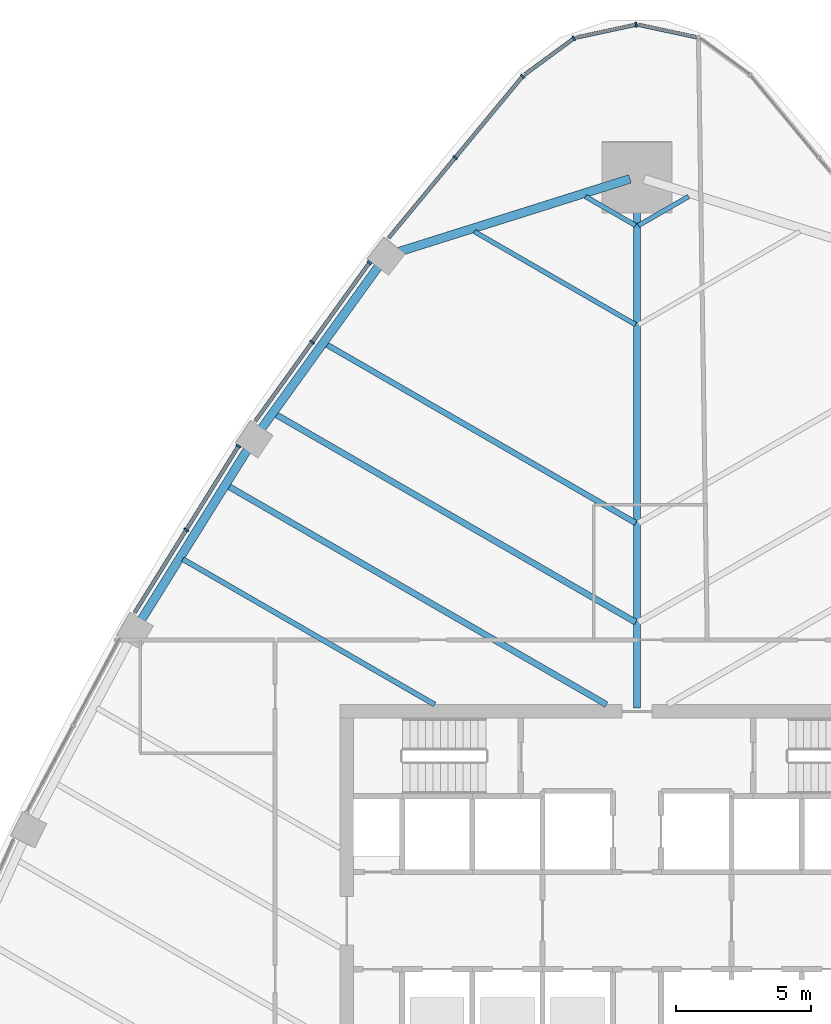
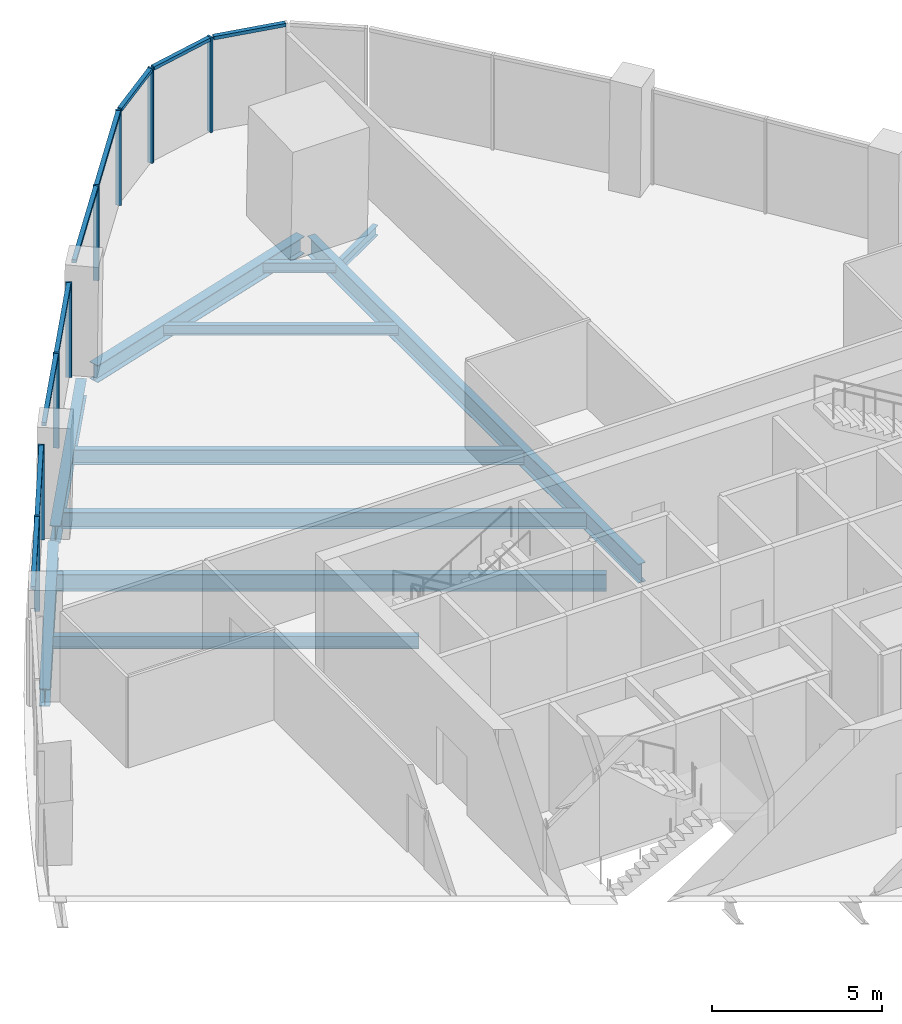
# One storey, part 6 of 17: 17 members, 11 beams, 6 elements without a shape of their own.
"""IFC4 building model written with IfcOpenShell, lengths in metres."""

from ifc_helpers import new_model, si_unit, direction, frame, origin, origin_2d, place, context, subcontext, project, spatial, rectangle, i_section, extrude, material, layer, layer_set, material_profile, profile_set, type_object, element, aggregate, save


model = new_model("IFC4")

# Units and contexts
model_context = context("Model", 3, precision=1e-05, world=origin(), true_north=direction((0.0, 1.0)))
body_context = subcontext(model_context, "Body", "Model", "MODEL_VIEW")
ifc_project = project(units=[si_unit("LENGTHUNIT", "METRE"), si_unit("AREAUNIT", "SQUARE_METRE"), si_unit("VOLUMEUNIT", "CUBIC_METRE"), si_unit("PLANEANGLEUNIT", "RADIAN"), si_unit("MASSUNIT", "GRAM", prefix="KILO")], contexts=[model_context])

# Site, building, storey
site_placement = place(None, origin())
site = spatial("IfcSite", under=ifc_project, at=site_placement, CompositionType="ELEMENT")
building_placement = place(site_placement, origin())
building = spatial("IfcBuilding", under=site, at=building_placement, Name="Sierra Prisma Convention Tower", CompositionType="ELEMENT")
storey_placement = place(building_placement, frame((0.0, 0.0, 169.800048828125)))
storey = spatial("IfcBuildingStorey", under=building, at=storey_placement, Name="L37", CompositionType="ELEMENT", Elevation=169.800048828125)

# Curtain wall, member
ifc_material_1 = material(Name="Aluminium and glass curtain wall", Category="aluminium")
ifc_layer = layer(ifc_material_1, 0.179931640625)
ifc_layer_set = layer_set([ifc_layer], Name="CW-1 Plain shaft curtain wall")
curtain_wall_type = type_object("IfcCurtainWallType", Name="CW-1 Plain shaft curtain wall", PredefinedType="NOTDEFINED", material=ifc_layer_set)
curtain_wall_1_placement = place(storey_placement, origin())
curtain_wall_1 = element("IfcCurtainWall", 1, at=curtain_wall_1_placement, inside=storey, type_object=curtain_wall_type, Name="CW-1 N3 L37", PredefinedType="NOTDEFINED")
ifc_material_2 = material(Name="Aluminium 6063-T6 bronze anodised", Category="aluminium")
ifc_material_profile_1 = material_profile(ifc_material_2, rectangle(XDim=0.179931640625, YDim=0.070068359375, at=origin_2d()), Name="ALU MULLION 70x180")
ifc_profile_set_1 = profile_set([ifc_material_profile_1], Name="Aluminium 6063-T6 bronze anodised")
member_type_1 = type_object("IfcMemberType", Name="CW mullion bronze", PredefinedType="MULLION", material=ifc_profile_set_1)
member_1_placement = place(storey_placement, frame((-0.0341796875, 33.1787109375, 0.0), z_axis=(0.0, 0.0, 1.0), x_axis=(0.209651539511, -0.977776166605, 0.0)))
member_1 = element("IfcMember", 2, at=member_1_placement, type_object=member_type_1, Name="CW-1 mullion N3.1", PredefinedType="MULLION", context=body_context, shape_type="SweptSolid", body=[
    extrude(rectangle(XDim=0.179931640625, YDim=0.070068359375, at=origin_2d()), origin(), (0.0, 0.0, 1.0), 3.39990234375),
])

curtain_wall_2_placement = place(storey_placement, origin())
curtain_wall_2 = element("IfcCurtainWall", 3, at=curtain_wall_2_placement, inside=storey, type_object=curtain_wall_type, Name="CW-1 N4 L37", PredefinedType="NOTDEFINED")
member_2_placement = place(storey_placement, frame((-2.3388671875, 32.669921875, 0.0), z_axis=(0.0, 0.0, 1.0), x_axis=(0.592094718017, -0.805868379387, 0.0)))
member_2 = element("IfcMember", 4, at=member_2_placement, type_object=member_type_1, Name="CW-1 mullion N4.1", PredefinedType="MULLION", context=body_context, shape_type="SweptSolid", body=[
    extrude(rectangle(XDim=0.179931640625, YDim=0.070068359375, at=origin_2d()), origin(), (0.0, 0.0, 1.0), 3.39990234375),
])

# Curtain wall, members
curtain_wall_3_placement = place(storey_placement, origin())
curtain_wall_3 = element("IfcCurtainWall", 5, at=curtain_wall_3_placement, inside=storey, type_object=curtain_wall_type, Name="CW-1 NW1 L37", PredefinedType="NOTDEFINED")
member_3_placement = place(storey_placement, frame((-4.2373046875, 31.2646484375, 0.0), z_axis=(0.0, 0.0, 1.0), x_axis=(0.769842799986, -0.638233549188, 0.0)))
member_3 = element("IfcMember", 6, at=member_3_placement, type_object=member_type_1, Name="CW-1 mullion NW1.1", PredefinedType="MULLION", context=body_context, shape_type="SweptSolid", body=[
    extrude(rectangle(XDim=0.179931640625, YDim=0.070068359375, at=origin_2d()), origin(), (0.0, 0.0, 1.0), 3.39990234375),
])
member_4_placement = place(storey_placement, frame((-6.7314453125, 28.256103515625, 0.0), z_axis=(0.0, 0.0, 1.0), x_axis=(0.769842799986, -0.638233549188, 0.0)))
member_4 = element("IfcMember", 7, at=member_4_placement, type_object=member_type_1, Name="CW-1 mullion NW1.2", PredefinedType="MULLION", context=body_context, shape_type="SweptSolid", body=[
    extrude(rectangle(XDim=0.179931640625, YDim=0.070068359375, at=origin_2d()), origin(), (0.0, 0.0, 1.0), 3.39990234375),
])

curtain_wall_4_placement = place(storey_placement, origin())
curtain_wall_4 = element("IfcCurtainWall", 8, at=curtain_wall_4_placement, inside=storey, type_object=curtain_wall_type, Name="CW-1 NW2 L37", PredefinedType="NOTDEFINED")
member_5_placement = place(storey_placement, frame((-9.90625, 24.365478515625, 0.0), z_axis=(0.0, 0.0, 1.0), x_axis=(0.811103273731, -0.58490296575, 0.0)))
member_5 = element("IfcMember", 9, at=member_5_placement, type_object=member_type_1, Name="CW-1 mullion NW2.1", PredefinedType="MULLION", context=body_context, shape_type="SweptSolid", body=[
    extrude(rectangle(XDim=0.179931640625, YDim=0.070068359375, at=origin_2d()), origin(), (0.0, 0.0, 1.0), 3.39990234375),
])
member_6_placement = place(storey_placement, frame((-12.03271484375, 21.41650390625, 0.0), z_axis=(0.0, 0.0, 1.0), x_axis=(0.811103273731, -0.58490296575, 0.0)))
member_6 = element("IfcMember", 10, at=member_6_placement, type_object=member_type_1, Name="CW-1 mullion NW2.2", PredefinedType="MULLION", context=body_context, shape_type="SweptSolid", body=[
    extrude(rectangle(XDim=0.179931640625, YDim=0.070068359375, at=origin_2d()), origin(), (0.0, 0.0, 1.0), 3.39990234375),
])

curtain_wall_5_placement = place(storey_placement, origin())
curtain_wall_5 = element("IfcCurtainWall", 11, at=curtain_wall_5_placement, inside=storey, type_object=curtain_wall_type, Name="CW-1 NW3 L37", PredefinedType="NOTDEFINED")
member_7_placement = place(storey_placement, frame((-14.761962890625, 17.56884765625, 0.0), z_axis=(0.0, 0.0, 1.0), x_axis=(0.848676003318, -0.52891307546, 0.0)))
member_7 = element("IfcMember", 12, at=member_7_placement, type_object=member_type_1, Name="CW-1 mullion NW3.1", PredefinedType="MULLION", context=body_context, shape_type="SweptSolid", body=[
    extrude(rectangle(XDim=0.179931640625, YDim=0.070068359375, at=origin_2d()), origin(), (0.0, 0.0, 1.0), 3.39990234375),
])
member_8_placement = place(storey_placement, frame((-16.693359375, 14.4697265625, 0.0), z_axis=(0.0, 0.0, 1.0), x_axis=(0.848676003318, -0.52891307546, 0.0)))
member_8 = element("IfcMember", 13, at=member_8_placement, type_object=member_type_1, Name="CW-1 mullion NW3.2", PredefinedType="MULLION", context=body_context, shape_type="SweptSolid", body=[
    extrude(rectangle(XDim=0.179931640625, YDim=0.070068359375, at=origin_2d()), origin(), (0.0, 0.0, 1.0), 3.39990234375),
])

# Curtain wall, member
curtain_wall_6_placement = place(storey_placement, origin())
curtain_wall_6 = element("IfcCurtainWall", 14, at=curtain_wall_6_placement, inside=storey, type_object=curtain_wall_type, Name="CW-1 N2 L37", PredefinedType="NOTDEFINED")
ifc_material_3 = material(Name="Aluminium 6063-T6 bronze anodised", Category="aluminium")
ifc_material_profile_2 = material_profile(ifc_material_3, rectangle(XDim=0.139892578125, YDim=0.1201171875, at=origin_2d()), Name="ALU TRANSOM 120x140")
ifc_profile_set_2 = profile_set([ifc_material_profile_2], Name="Aluminium 6063-T6 bronze anodised")
member_type_2 = type_object("IfcMemberType", Name="CW transom bronze", PredefinedType="USERDEFINED", material=ifc_profile_set_2)
member_9_placement = place(storey_placement, frame((2.2421875, 32.705322265625, 3.33984375), z_axis=(-0.977779910053, 0.209634079997, 0.0), x_axis=(-0.209634079997, -0.977779910053, 0.0)))
member_9 = element("IfcMember", 15, at=member_9_placement, type_object=member_type_2, Name="CW-1 transom N2.1", ObjectType="TRANSOM", PredefinedType="USERDEFINED", context=body_context, shape_type="SweptSolid", body=[
    extrude(rectangle(XDim=0.139892578125, YDim=0.1201171875, at=origin_2d()), origin(), (0.0, 0.0, 1.0), 2.22314453125),
])
aggregate(curtain_wall_6, [member_9])

# Member
member_10_placement = place(storey_placement, frame((-0.068359375, 33.17138671875, 3.33984375), z_axis=(-0.977779910053, -0.209634079997, 0.0), x_axis=(0.209634079997, -0.977779910053, 0.0)))
member_10 = element("IfcMember", 16, at=member_10_placement, type_object=member_type_2, Name="CW-1 transom N3.1", ObjectType="TRANSOM", PredefinedType="USERDEFINED", context=body_context, shape_type="SweptSolid", body=[
    extrude(rectangle(XDim=0.139892578125, YDim=0.1201171875, at=origin_2d()), origin(), (0.0, 0.0, 1.0), 2.22314453125),
])

aggregate(curtain_wall_1, [member_1, member_10])

member_11_placement = place(storey_placement, frame((-2.366943359375, 32.649169921875, 3.33984375), z_axis=(-0.805891437644, -0.592063333379, 0.0), x_axis=(0.592063333379, -0.805891437644, 0.0)))
member_11 = element("IfcMember", 17, at=member_11_placement, type_object=member_type_2, Name="CW-1 transom N4.1", ObjectType="TRANSOM", PredefinedType="USERDEFINED", context=body_context, shape_type="SweptSolid", body=[
    extrude(rectangle(XDim=0.139892578125, YDim=0.1201171875, at=origin_2d()), origin(), (0.0, 0.0, 1.0), 2.222900390625),
])

aggregate(curtain_wall_2, [member_2, member_11])

member_12_placement = place(storey_placement, frame((-4.259521484375, 31.23779296875, 3.33984375), z_axis=(-0.638236585633, -0.76984028263, 0.0), x_axis=(0.76984028263, -0.638236585633, 0.0)))
member_12 = element("IfcMember", 18, at=member_12_placement, type_object=member_type_2, Name="CW-1 transom NW1.1", ObjectType="TRANSOM", PredefinedType="USERDEFINED", context=body_context, shape_type="SweptSolid", body=[
    extrude(rectangle(XDim=0.139892578125, YDim=0.1201171875, at=origin_2d()), origin(), (0.0, 0.0, 1.0), 3.838134765625),
])

member_13_placement = place(storey_placement, frame((-6.75390625, 28.22900390625, 3.33984375), z_axis=(-0.638230140725, -0.76984562574, 0.0), x_axis=(0.76984562574, -0.638230140725, 0.0)))
member_13 = element("IfcMember", 19, at=member_13_placement, type_object=member_type_2, Name="CW-1 transom NW1.2", ObjectType="TRANSOM", PredefinedType="USERDEFINED", context=body_context, shape_type="SweptSolid", body=[
    extrude(rectangle(XDim=0.139892578125, YDim=0.1201171875, at=origin_2d()), origin(), (0.0, 0.0, 1.0), 3.837890625),
])

aggregate(curtain_wall_3, [member_3, member_4, member_12, member_13])

member_14_placement = place(storey_placement, frame((-9.9267578125, 24.337158203125, 3.33984375), z_axis=(-0.584852912957, -0.811139365464, 0.0), x_axis=(0.811139365464, -0.584852912957, 0.0)))
member_14 = element("IfcMember", 20, at=member_14_placement, type_object=member_type_2, Name="CW-1 transom NW2.1", ObjectType="TRANSOM", PredefinedType="USERDEFINED", context=body_context, shape_type="SweptSolid", body=[
    extrude(rectangle(XDim=0.139892578125, YDim=0.1201171875, at=origin_2d()), origin(), (0.0, 0.0, 1.0), 3.565673828125),
])

member_15_placement = place(storey_placement, frame((-12.05322265625, 21.38818359375, 3.33984375), z_axis=(-0.584897958514, -0.811106884527, 0.0), x_axis=(0.811106884527, -0.584897958514, 0.0)))
member_15 = element("IfcMember", 21, at=member_15_placement, type_object=member_type_2, Name="CW-1 transom NW2.2", ObjectType="TRANSOM", PredefinedType="USERDEFINED", context=body_context, shape_type="SweptSolid", body=[
    extrude(rectangle(XDim=0.139892578125, YDim=0.1201171875, at=origin_2d()), origin(), (0.0, 0.0, 1.0), 3.56591796875),
])

aggregate(curtain_wall_4, [member_5, member_6, member_14, member_15])

member_16_placement = place(storey_placement, frame((-14.780517578125, 17.5390625, 3.33984375), z_axis=(-0.528877232561, -0.84869834033, 0.0), x_axis=(0.84869834033, -0.528877232561, 0.0)))
member_16 = element("IfcMember", 22, at=member_16_placement, type_object=member_type_2, Name="CW-1 transom NW3.1", ObjectType="TRANSOM", PredefinedType="USERDEFINED", context=body_context, shape_type="SweptSolid", body=[
    extrude(rectangle(XDim=0.139892578125, YDim=0.1201171875, at=origin_2d()), origin(), (0.0, 0.0, 1.0), 3.581787109375),
])

member_17_placement = place(storey_placement, frame((-16.7119140625, 14.43994140625, 3.33984375), z_axis=(-0.528926327005, -0.848667744528, 0.0), x_axis=(0.848667744528, -0.528926327005, 0.0)))
member_17 = element("IfcMember", 23, at=member_17_placement, type_object=member_type_2, Name="CW-1 transom NW3.2", ObjectType="TRANSOM", PredefinedType="USERDEFINED", context=body_context, shape_type="SweptSolid", body=[
    extrude(rectangle(XDim=0.139892578125, YDim=0.1201171875, at=origin_2d()), origin(), (0.0, 0.0, 1.0), 3.581787109375),
])

aggregate(curtain_wall_5, [member_7, member_8, member_16, member_17])

# Beams
ifc_material_4 = material(Name="Steel ASTM A992 Gr 50", Category="steel")
ifc_material_profile_3 = material_profile(ifc_material_4, i_section(OverallWidth=0.172119140625, OverallDepth=0.35791015625, WebThickness=0.0078125, FlangeThickness=0.01318359375, at=origin_2d()), Name="W360x57")
ifc_profile_set_3 = profile_set([ifc_material_profile_3], Name="Steel ASTM A992 Gr 50")
beam_type_1 = type_object("IfcBeamType", Name="Floor joist W360x57", PredefinedType="JOIST", material=ifc_profile_set_3)
for number, where, z_axis, x_axis, name in (
    (24, (1.91015625, 26.81640625, -0.3291015625), (-0.866079547155, -0.499906209203, 0.0), (0.499906209203, -0.866079547155, 0.0), "Floor joist L37 NE15"),
    (25, (-1.91015625, 26.81640625, -0.3291015625), (0.866079547155, -0.499906209203, 0.0), (0.499906209203, 0.866079547155, 0.0), "Floor joist L37 NW01"),
):
    element("IfcBeam", number, at=place(storey_placement, frame(where, z_axis=z_axis, x_axis=x_axis)), inside=storey, type_object=beam_type_1, Name=name, PredefinedType="JOIST", context=body_context, shape_type="SweptSolid", body=[
        extrude(i_section(OverallWidth=0.172119140625, OverallDepth=0.35791015625, WebThickness=0.0078125, FlangeThickness=0.01318359375, at=origin_2d()), origin(), (0.0, 0.0, 1.0), 2.14697265625),
    ])
beam_1_placement = place(storey_placement, frame((-6.025390625, 25.51904296875, -0.3291015625), z_axis=(0.866024113344, -0.500002235103, 0.0), x_axis=(0.500002235103, 0.866024113344, 0.0)))
element("IfcBeam", 26, at=beam_1_placement, inside=storey, type_object=beam_type_1, Name="Floor joist L37 NW02", PredefinedType="JOIST", context=body_context, shape_type="SweptSolid", body=[
    extrude(i_section(OverallWidth=0.172119140625, OverallDepth=0.35791015625, WebThickness=0.0078125, FlangeThickness=0.01318359375, at=origin_2d()), origin(), (0.0, 0.0, 1.0), 6.89892578125),
])
ifc_material_5 = material(Name="Steel ASTM A992 Gr 50", Category="steel")
ifc_material_profile_4 = material_profile(ifc_material_5, i_section(OverallWidth=0.18994140625, OverallDepth=0.45703125, WebThickness=0.009033203125, FlangeThickness=0.014404296875, at=origin_2d()), Name="W460x74")
ifc_profile_set_4 = profile_set([ifc_material_profile_4], Name="Steel ASTM A992 Gr 50")
beam_type_2 = type_object("IfcBeamType", Name="Floor joist W460x74", PredefinedType="JOIST", material=ifc_profile_set_4)
beam_2_placement = place(storey_placement, frame((-16.823486328125, 13.386474609375, -0.378662109375), z_axis=(0.866024061214, -0.500002325393, 0.0), x_axis=(0.500002325393, 0.866024061214, 0.0)))
element("IfcBeam", 27, at=beam_2_placement, inside=storey, type_object=beam_type_2, Name="Floor joist L37 NW07", PredefinedType="JOIST", context=body_context, shape_type="SweptSolid", body=[
    extrude(i_section(OverallWidth=0.18994140625, OverallDepth=0.45703125, WebThickness=0.009033203125, FlangeThickness=0.014404296875, at=origin_2d()), origin(), (0.0, 0.0, 1.0), 10.77294921875),
])
ifc_material_6 = material(Name="Steel ASTM A992 Gr 50", Category="steel")
ifc_material_profile_5 = material_profile(ifc_material_6, i_section(OverallWidth=0.208984375, OverallDepth=0.532958984375, WebThickness=0.01025390625, FlangeThickness=0.015625, at=origin_2d()), Name="W530x92")
ifc_profile_set_5 = profile_set([ifc_material_profile_5], Name="Steel ASTM A992 Gr 50")
beam_type_3 = type_object("IfcBeamType", Name="Floor joist W530x92", PredefinedType="JOIST", material=ifc_profile_set_5)
beam_3_placement = place(storey_placement, frame((-11.515869140625, 21.34228515625, -0.41650390625), z_axis=(0.866024972507, -0.500000746994, 0.0), x_axis=(0.500000746994, 0.866024972507, 0.0)))
element("IfcBeam", 28, at=beam_3_placement, inside=storey, type_object=beam_type_3, Name="Floor joist L37 NW04", PredefinedType="JOIST", context=body_context, shape_type="SweptSolid", body=[
    extrude(i_section(OverallWidth=0.208984375, OverallDepth=0.532958984375, WebThickness=0.01025390625, FlangeThickness=0.015625, at=origin_2d()), origin(), (0.0, 0.0, 1.0), 13.23876953125),
])
ifc_material_7 = material(Name="Steel ASTM A992 Gr 50", Category="steel")
ifc_material_profile_6 = material_profile(ifc_material_7, i_section(OverallWidth=0.22802734375, OverallDepth=0.60302734375, WebThickness=0.010498046875, FlangeThickness=0.014892578125, at=origin_2d()), Name="W610x101")
ifc_profile_set_6 = profile_set([ifc_material_profile_6], Name="Steel ASTM A992 Gr 50")
beam_type_4 = type_object("IfcBeamType", Name="Floor joist W610x101", PredefinedType="JOIST", material=ifc_profile_set_6)
beam_4_placement = place(storey_placement, frame((-13.38623046875, 18.748779296875, -0.45166015625), z_axis=(0.866025585055, -0.49999968603, 0.0), x_axis=(0.49999968603, 0.866025585055, 0.0)))
element("IfcBeam", 29, at=beam_4_placement, inside=storey, type_object=beam_type_4, Name="Floor joist L37 NW05", PredefinedType="JOIST", context=body_context, shape_type="SweptSolid", body=[
    extrude(i_section(OverallWidth=0.22802734375, OverallDepth=0.60302734375, WebThickness=0.010498046875, FlangeThickness=0.014892578125, at=origin_2d()), origin(), (0.0, 0.0, 1.0), 15.3984375),
])
beam_5_placement = place(storey_placement, frame((-15.14013671875, 16.087890625, -0.45166015625), z_axis=(0.866027746362, -0.499995942515, 0.0), x_axis=(0.499995942515, 0.866027746362, 0.0)))
element("IfcBeam", 30, at=beam_5_placement, inside=storey, type_object=beam_type_4, Name="Floor joist L37 NW06", PredefinedType="JOIST", context=body_context, shape_type="SweptSolid", body=[
    extrude(i_section(OverallWidth=0.22802734375, OverallDepth=0.60302734375, WebThickness=0.010498046875, FlangeThickness=0.014892578125, at=origin_2d()), origin(), (0.0, 0.0, 1.0), 16.176025390625),
])
ifc_material_8 = material(Name="Steel ASTM A992 Gr 50", Category="steel")
ifc_material_profile_7 = material_profile(ifc_material_8, i_section(OverallWidth=0.25390625, OverallDepth=0.68408203125, WebThickness=0.012451171875, FlangeThickness=0.018798828125, at=origin_2d()), Name="W690x140")
ifc_profile_set_7 = profile_set([ifc_material_profile_7], Name="Steel ASTM A992 Gr 50")
beam_type_5 = type_object("IfcBeamType", Name="Radial girder W690x140", PredefinedType="BEAM", material=ifc_profile_set_7)
beam_6_placement = place(storey_placement, frame((0.0, 27.29052734375, -0.491943359375), z_axis=(0.0, -1.0, 0.0), x_axis=(1.0, 0.0, 0.0)))
element("IfcBeam", 31, at=beam_6_placement, inside=storey, type_object=beam_type_5, Name="Radial girder L37 N", PredefinedType="BEAM", context=body_context, shape_type="SweptSolid", body=[
    extrude(i_section(OverallWidth=0.25390625, OverallDepth=0.68408203125, WebThickness=0.012451171875, FlangeThickness=0.018798828125, at=origin_2d()), origin(), (0.0, 0.0, 1.0), 19.41064453125),
])
ifc_material_9 = material(Name="Steel ASTM A992 Gr 50", Category="steel")
ifc_material_profile_8 = material_profile(ifc_material_9, i_section(OverallWidth=0.324951171875, OverallDepth=0.615966796875, WebThickness=0.013916015625, FlangeThickness=0.021484375, at=origin_2d()), Name="W610x174")
ifc_profile_set_8 = profile_set([ifc_material_profile_8], Name="Steel ASTM A992 Gr 50")
beam_type_6 = type_object("IfcBeamType", Name="Spandrel beam W610x174", PredefinedType="BEAM", material=ifc_profile_set_8)
beam_7_placement = place(storey_placement, frame((-0.260009765625, 27.468505859375, -0.4580078125), z_axis=(-0.953719806133, -0.300696743232, 0.0), x_axis=(0.300696743232, -0.953719806133, 0.0)))
element("IfcBeam", 32, at=beam_7_placement, inside=storey, type_object=beam_type_6, Name="Spandrel L37-13", PredefinedType="BEAM", context=body_context, shape_type="SweptSolid", body=[
    extrude(i_section(OverallWidth=0.324951171875, OverallDepth=0.615966796875, WebThickness=0.013916015625, FlangeThickness=0.021484375, at=origin_2d()), origin(), (0.0, 0.0, 1.0), 8.979736328125),
])
beam_8_placement = place(storey_placement, frame((-9.512939453125, 24.31298828125, -0.4580078125), z_axis=(-0.584890032771, -0.811112599806, 0.0), x_axis=(0.811112599806, -0.584890032771, 0.0)))
element("IfcBeam", 33, at=beam_8_placement, inside=storey, type_object=beam_type_6, Name="Spandrel L37-14", PredefinedType="BEAM", context=body_context, shape_type="SweptSolid", body=[
    extrude(i_section(OverallWidth=0.324951171875, OverallDepth=0.615966796875, WebThickness=0.013916015625, FlangeThickness=0.021484375, at=origin_2d()), origin(), (0.0, 0.0, 1.0), 7.601806640625),
])
beam_9_placement = place(storey_placement, frame((-14.3828125, 17.515869140625, -0.4580078125), z_axis=(-0.528907301819, -0.848679601547, 0.0), x_axis=(0.848679601547, -0.528907301819, 0.0)))
element("IfcBeam", 34, at=beam_9_placement, inside=storey, type_object=beam_type_6, Name="Spandrel L37-15", PredefinedType="BEAM", context=body_context, shape_type="SweptSolid", body=[
    extrude(i_section(OverallWidth=0.324951171875, OverallDepth=0.615966796875, WebThickness=0.013916015625, FlangeThickness=0.021484375, at=origin_2d()), origin(), (0.0, 0.0, 1.0), 7.60205078125),
])

save(model, "model.ifc")
